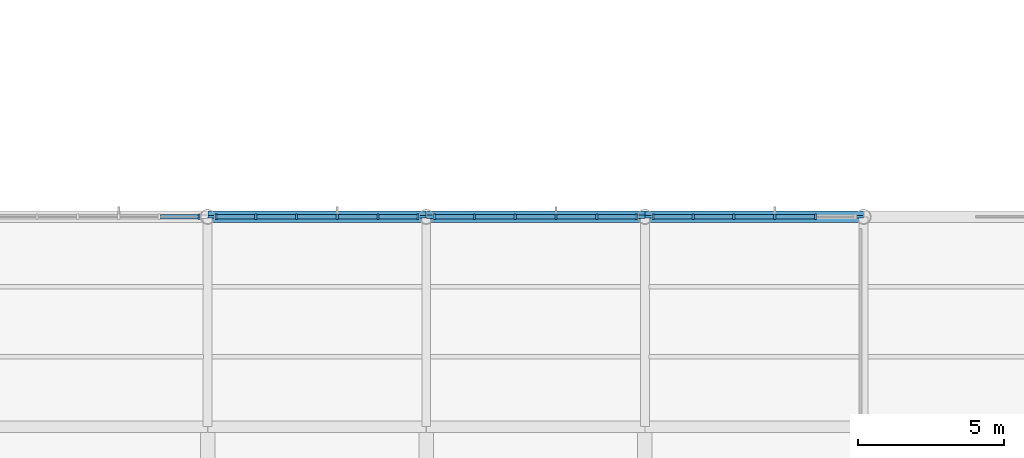
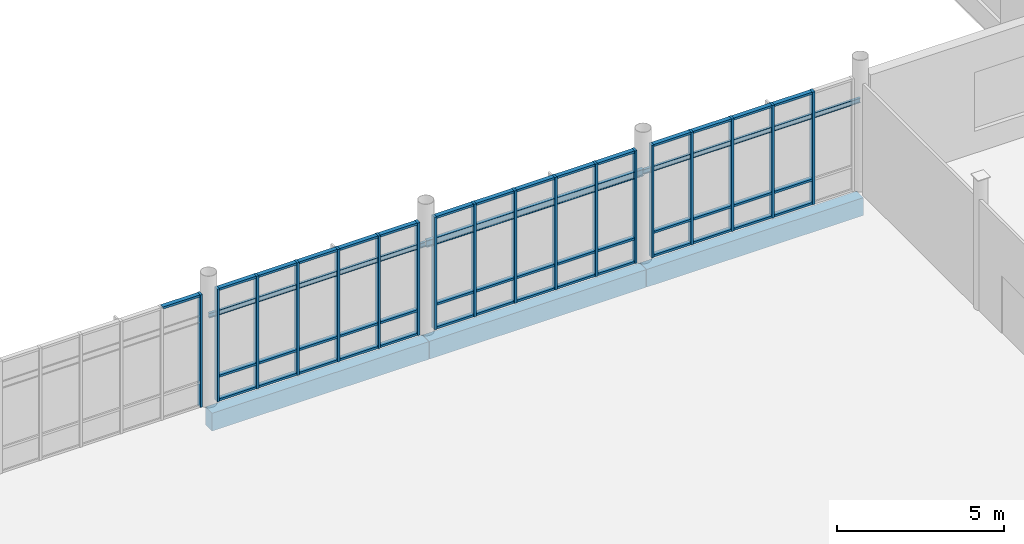
# One storey, part 21 of 82: 61 members, 6 beams, 4 elements without a shape of their own.
"""IFC4 building model written with IfcOpenShell, lengths in metres."""

from ifc_helpers import new_model, si_unit, direction, frame, origin, origin_2d, place, context, subcontext, project, spatial, rectangle, i_section, extrude, material, layer, layer_set, material_profile, profile_set, type_object, element, aggregate, save


model = new_model("IFC4")

# Units and contexts
model_context = context("Model", 3, precision=1e-05, world=origin(), true_north=direction((0.0, 1.0)))
body_context = subcontext(model_context, "Body", "Model", "MODEL_VIEW")
ifc_project = project(units=[si_unit("LENGTHUNIT", "METRE"), si_unit("AREAUNIT", "SQUARE_METRE"), si_unit("VOLUMEUNIT", "CUBIC_METRE"), si_unit("PLANEANGLEUNIT", "RADIAN"), si_unit("MASSUNIT", "GRAM", prefix="KILO")], contexts=[model_context])

# Site, building, storey
site_placement = place(None, origin())
site = spatial("IfcSite", under=ifc_project, at=site_placement, CompositionType="ELEMENT")
building_placement = place(site_placement, origin())
building = spatial("IfcBuilding", under=site, at=building_placement, Name="Yukiwa Park Conservatory and Herbarium", CompositionType="ELEMENT")
storey_placement = place(building_placement, origin())
storey = spatial("IfcBuildingStorey", under=building, at=storey_placement, Name="L00", CompositionType="ELEMENT", Elevation=0.0)

# Beams
ifc_material_1 = material(Name="Steel Q355D", Category="steel")
ifc_material_profile_1 = material_profile(ifc_material_1, i_section(OverallWidth=0.090087890625, OverallDepth=0.175048828125, WebThickness=0.0048828125, FlangeThickness=0.008056640625, FilletRadius=0.009033203125, at=origin_2d()), Name="HN 175x90x5x8")
ifc_profile_set_1 = profile_set([ifc_material_profile_1], Name="Steel Q355D")
beam_type_1 = type_object("IfcBeamType", Name="BM-LNT-HN175", PredefinedType="LINTEL", material=ifc_profile_set_1)
for number, where, z_axis, x_axis, name in (
    (1, (30.006103515625, 31.199951171875, 3.199951171875), (1.0, 0.0, 0.0), (0.0, 1.0, 0.0), "Conservatory north glazed portal steel lintel 4"),
    (2, (45.006103515625, 31.199951171875, 3.199951171875), (1.0, 0.0, 0.0), (0.0, 1.0, 0.0), "Conservatory north glazed portal steel lintel 6"),
):
    element("IfcBeam", number, at=place(storey_placement, frame(where, z_axis=z_axis, x_axis=x_axis)), inside=storey, type_object=beam_type_1, Name=name, PredefinedType="LINTEL", context=body_context, shape_type="SweptSolid", body=[
        extrude(i_section(OverallWidth=0.090087890625, OverallDepth=0.175048828125, WebThickness=0.0048828125, FlangeThickness=0.008056640625, FilletRadius=0.009033203125, at=origin_2d()), origin(), (0.0, 0.0, 1.0), 7.48779296875),
    ])
ifc_material_2 = material(Name="Steel Q355D", Category="steel")
ifc_material_profile_2 = material_profile(ifc_material_2, i_section(OverallWidth=0.125, OverallDepth=0.25, WebThickness=0.006103515625, FlangeThickness=0.009033203125, FilletRadius=0.011962890625, at=origin_2d()), Name="HN 250x125x6x9")
ifc_profile_set_2 = profile_set([ifc_material_profile_2], Name="Steel Q355D")
beam_type_2 = type_object("IfcBeamType", Name="BM-LNT-HN250", PredefinedType="LINTEL", material=ifc_profile_set_2)
beam_placement = place(storey_placement, frame((37.506103515625, 31.199951171875, 3.199951171875), z_axis=(1.0, 0.0, 0.0), x_axis=(0.0, 1.0, 0.0)))
element("IfcBeam", 3, at=beam_placement, inside=storey, type_object=beam_type_2, Name="Conservatory north glazed portal steel lintel 5", PredefinedType="LINTEL", context=body_context, shape_type="SweptSolid", body=[
    extrude(i_section(OverallWidth=0.125, OverallDepth=0.25, WebThickness=0.006103515625, FlangeThickness=0.009033203125, FilletRadius=0.011962890625, at=origin_2d()), origin(), (0.0, 0.0, 1.0), 7.48779296875),
])
ifc_material_3 = material(Name="Concrete C40", Category="concrete")
ifc_material_profile_3 = material_profile(ifc_material_3, rectangle(XDim=0.39990234375, YDim=0.64990234375, at=origin_2d()), Name="RC 400x650")
ifc_profile_set_3 = profile_set([ifc_material_profile_3], Name="Concrete C40")
beam_type_3 = type_object("IfcBeamType", Name="BM-RC-400X650", PredefinedType="BEAM", material=ifc_profile_set_3)
for number, where, z_axis, x_axis, name in (
    (4, (30.006103515625, 31.199951171875, -0.5849609375), (1.0, 0.0, 0.0), (0.0, 1.0, 0.0), "L00 grid beam X-49"),
    (5, (37.506103515625, 31.199951171875, -0.5849609375), (1.0, 0.0, 0.0), (0.0, 1.0, 0.0), "L00 grid beam X-50"),
    (6, (45.006103515625, 31.199951171875, -0.5849609375), (1.0, 0.0, 0.0), (0.0, 1.0, 0.0), "L00 grid beam X-51"),
):
    element("IfcBeam", number, at=place(storey_placement, frame(where, z_axis=z_axis, x_axis=x_axis)), inside=storey, type_object=beam_type_3, Name=name, PredefinedType="BEAM", context=body_context, shape_type="SweptSolid", body=[
        extrude(rectangle(XDim=0.39990234375, YDim=0.64990234375, at=origin_2d()), origin(), (0.0, 0.0, 1.0), 7.48779296875),
    ])

# Curtain wall, members
ifc_material_4 = material(Name="Triple Low-E Insulated Glass", Category="glass")
ifc_layer = layer(ifc_material_4, 0.152099609375)
ifc_layer_set = layer_set([ifc_layer], Name="Triple Low-E Insulated Glass")
curtain_wall_type = type_object("IfcCurtainWallType", Name="CW-CONSERVATORY-1500", PredefinedType="NOTDEFINED", material=ifc_layer_set)
curtain_wall_1_placement = place(storey_placement, origin())
curtain_wall_1 = element("IfcCurtainWall", 7, at=curtain_wall_1_placement, inside=storey, type_object=curtain_wall_type, Name="L00 unitised curtain wall CW-L00-018", PredefinedType="NOTDEFINED")
ifc_material_5 = material(Name="Anodised Aluminium", Category="aluminium")
member_type_1 = type_object("IfcMemberType", Name="MB-CW-MUL-80X180", PredefinedType="MULLION", material=ifc_material_5)
member_1_placement = place(storey_placement, frame((50.84765625, 31.199951171875, 0.0), z_axis=(0.0, 0.0, 1.0), x_axis=(-1.0, 0.0, 0.0)))
member_1 = element("IfcMember", 8, at=member_1_placement, type_object=member_type_1, Name="CW-L00-018 mullion 2", PredefinedType="MULLION", context=body_context, shape_type="SweptSolid", body=[
    extrude(rectangle(XDim=0.080078125, YDim=0.179931640625, at=origin_2d()), origin(), (0.0, 0.0, 1.0), 4.110107421875),
])
member_2_placement = place(storey_placement, frame((49.44921875, 31.199951171875, 0.0), z_axis=(0.0, 0.0, 1.0), x_axis=(-1.0, 0.0, 0.0)))
member_2 = element("IfcMember", 9, at=member_2_placement, type_object=member_type_1, Name="CW-L00-018 mullion 3", PredefinedType="MULLION", context=body_context, shape_type="SweptSolid", body=[
    extrude(rectangle(XDim=0.080078125, YDim=0.179931640625, at=origin_2d()), origin(), (0.0, 0.0, 1.0), 4.110107421875),
])
member_3_placement = place(storey_placement, frame((48.05078125, 31.199951171875, 0.0), z_axis=(0.0, 0.0, 1.0), x_axis=(-1.0, 0.0, 0.0)))
member_3 = element("IfcMember", 10, at=member_3_placement, type_object=member_type_1, Name="CW-L00-018 mullion 4", PredefinedType="MULLION", context=body_context, shape_type="SweptSolid", body=[
    extrude(rectangle(XDim=0.080078125, YDim=0.179931640625, at=origin_2d()), origin(), (0.0, 0.0, 1.0), 4.110107421875),
])
member_4_placement = place(storey_placement, frame((46.65234375, 31.199951171875, 0.0), z_axis=(0.0, 0.0, 1.0), x_axis=(-1.0, 0.0, 0.0)))
member_4 = element("IfcMember", 11, at=member_4_placement, type_object=member_type_1, Name="CW-L00-018 mullion 5", PredefinedType="MULLION", context=body_context, shape_type="SweptSolid", body=[
    extrude(rectangle(XDim=0.080078125, YDim=0.179931640625, at=origin_2d()), origin(), (0.0, 0.0, 1.0), 4.110107421875),
])
member_5_placement = place(storey_placement, frame((45.2939453125, 31.199951171875, 0.0), z_axis=(0.0, 0.0, 1.0), x_axis=(-1.0, 0.0, 0.0)))
member_5 = element("IfcMember", 12, at=member_5_placement, type_object=member_type_1, Name="CW-L00-018 mullion 6", PredefinedType="MULLION", context=body_context, shape_type="SweptSolid", body=[
    extrude(rectangle(XDim=0.080078125, YDim=0.179931640625, at=origin_2d()), origin(), (0.0, 0.0, 1.0), 4.110107421875),
])

curtain_wall_2_placement = place(storey_placement, origin())
curtain_wall_2 = element("IfcCurtainWall", 13, at=curtain_wall_2_placement, inside=storey, type_object=curtain_wall_type, Name="L00 unitised curtain wall CW-L00-019", PredefinedType="NOTDEFINED")
member_6_placement = place(storey_placement, frame((44.7060546875, 31.199951171875, 0.0), z_axis=(0.0, 0.0, 1.0), x_axis=(-1.0, 0.0, 0.0)))
member_6 = element("IfcMember", 14, at=member_6_placement, type_object=member_type_1, Name="CW-L00-019 mullion 1", PredefinedType="MULLION", context=body_context, shape_type="SweptSolid", body=[
    extrude(rectangle(XDim=0.080078125, YDim=0.179931640625, at=origin_2d()), origin(), (0.0, 0.0, 1.0), 4.110107421875),
])
member_7_placement = place(storey_placement, frame((43.34765625, 31.199951171875, 0.0), z_axis=(0.0, 0.0, 1.0), x_axis=(-1.0, 0.0, 0.0)))
member_7 = element("IfcMember", 15, at=member_7_placement, type_object=member_type_1, Name="CW-L00-019 mullion 2", PredefinedType="MULLION", context=body_context, shape_type="SweptSolid", body=[
    extrude(rectangle(XDim=0.080078125, YDim=0.179931640625, at=origin_2d()), origin(), (0.0, 0.0, 1.0), 4.110107421875),
])
member_8_placement = place(storey_placement, frame((41.94921875, 31.199951171875, 0.0), z_axis=(0.0, 0.0, 1.0), x_axis=(-1.0, 0.0, 0.0)))
member_8 = element("IfcMember", 16, at=member_8_placement, type_object=member_type_1, Name="CW-L00-019 mullion 3", PredefinedType="MULLION", context=body_context, shape_type="SweptSolid", body=[
    extrude(rectangle(XDim=0.080078125, YDim=0.179931640625, at=origin_2d()), origin(), (0.0, 0.0, 1.0), 4.110107421875),
])
member_9_placement = place(storey_placement, frame((40.55078125, 31.199951171875, 0.0), z_axis=(0.0, 0.0, 1.0), x_axis=(-1.0, 0.0, 0.0)))
member_9 = element("IfcMember", 17, at=member_9_placement, type_object=member_type_1, Name="CW-L00-019 mullion 4", PredefinedType="MULLION", context=body_context, shape_type="SweptSolid", body=[
    extrude(rectangle(XDim=0.080078125, YDim=0.179931640625, at=origin_2d()), origin(), (0.0, 0.0, 1.0), 4.110107421875),
])
member_10_placement = place(storey_placement, frame((39.15234375, 31.199951171875, 0.0), z_axis=(0.0, 0.0, 1.0), x_axis=(-1.0, 0.0, 0.0)))
member_10 = element("IfcMember", 18, at=member_10_placement, type_object=member_type_1, Name="CW-L00-019 mullion 5", PredefinedType="MULLION", context=body_context, shape_type="SweptSolid", body=[
    extrude(rectangle(XDim=0.080078125, YDim=0.179931640625, at=origin_2d()), origin(), (0.0, 0.0, 1.0), 4.110107421875),
])
member_11_placement = place(storey_placement, frame((37.7939453125, 31.199951171875, 0.0), z_axis=(0.0, 0.0, 1.0), x_axis=(-1.0, 0.0, 0.0)))
member_11 = element("IfcMember", 19, at=member_11_placement, type_object=member_type_1, Name="CW-L00-019 mullion 6", PredefinedType="MULLION", context=body_context, shape_type="SweptSolid", body=[
    extrude(rectangle(XDim=0.080078125, YDim=0.179931640625, at=origin_2d()), origin(), (0.0, 0.0, 1.0), 4.110107421875),
])

curtain_wall_3_placement = place(storey_placement, origin())
curtain_wall_3 = element("IfcCurtainWall", 20, at=curtain_wall_3_placement, inside=storey, type_object=curtain_wall_type, Name="L00 unitised curtain wall CW-L00-020", PredefinedType="NOTDEFINED")
member_12_placement = place(storey_placement, frame((37.2060546875, 31.199951171875, 0.0), z_axis=(0.0, 0.0, 1.0), x_axis=(-1.0, 0.0, 0.0)))
member_12 = element("IfcMember", 21, at=member_12_placement, type_object=member_type_1, Name="CW-L00-020 mullion 1", PredefinedType="MULLION", context=body_context, shape_type="SweptSolid", body=[
    extrude(rectangle(XDim=0.080078125, YDim=0.179931640625, at=origin_2d()), origin(), (0.0, 0.0, 1.0), 4.110107421875),
])
member_13_placement = place(storey_placement, frame((35.84765625, 31.199951171875, 0.0), z_axis=(0.0, 0.0, 1.0), x_axis=(-1.0, 0.0, 0.0)))
member_13 = element("IfcMember", 22, at=member_13_placement, type_object=member_type_1, Name="CW-L00-020 mullion 2", PredefinedType="MULLION", context=body_context, shape_type="SweptSolid", body=[
    extrude(rectangle(XDim=0.080078125, YDim=0.179931640625, at=origin_2d()), origin(), (0.0, 0.0, 1.0), 4.110107421875),
])
member_14_placement = place(storey_placement, frame((34.44921875, 31.199951171875, 0.0), z_axis=(0.0, 0.0, 1.0), x_axis=(-1.0, 0.0, 0.0)))
member_14 = element("IfcMember", 23, at=member_14_placement, type_object=member_type_1, Name="CW-L00-020 mullion 3", PredefinedType="MULLION", context=body_context, shape_type="SweptSolid", body=[
    extrude(rectangle(XDim=0.080078125, YDim=0.179931640625, at=origin_2d()), origin(), (0.0, 0.0, 1.0), 4.110107421875),
])
member_15_placement = place(storey_placement, frame((33.05078125, 31.199951171875, 0.0), z_axis=(0.0, 0.0, 1.0), x_axis=(-1.0, 0.0, 0.0)))
member_15 = element("IfcMember", 24, at=member_15_placement, type_object=member_type_1, Name="CW-L00-020 mullion 4", PredefinedType="MULLION", context=body_context, shape_type="SweptSolid", body=[
    extrude(rectangle(XDim=0.080078125, YDim=0.179931640625, at=origin_2d()), origin(), (0.0, 0.0, 1.0), 4.110107421875),
])
member_16_placement = place(storey_placement, frame((31.65234375, 31.199951171875, 0.0), z_axis=(0.0, 0.0, 1.0), x_axis=(-1.0, 0.0, 0.0)))
member_16 = element("IfcMember", 25, at=member_16_placement, type_object=member_type_1, Name="CW-L00-020 mullion 5", PredefinedType="MULLION", context=body_context, shape_type="SweptSolid", body=[
    extrude(rectangle(XDim=0.080078125, YDim=0.179931640625, at=origin_2d()), origin(), (0.0, 0.0, 1.0), 4.110107421875),
])
member_17_placement = place(storey_placement, frame((30.2939453125, 31.199951171875, 0.0), z_axis=(0.0, 0.0, 1.0), x_axis=(-1.0, 0.0, 0.0)))
member_17 = element("IfcMember", 26, at=member_17_placement, type_object=member_type_1, Name="CW-L00-020 mullion 6", PredefinedType="MULLION", context=body_context, shape_type="SweptSolid", body=[
    extrude(rectangle(XDim=0.080078125, YDim=0.179931640625, at=origin_2d()), origin(), (0.0, 0.0, 1.0), 4.110107421875),
])

# Curtain wall, member
curtain_wall_4_placement = place(storey_placement, origin())
curtain_wall_4 = element("IfcCurtainWall", 27, at=curtain_wall_4_placement, inside=storey, type_object=curtain_wall_type, Name="L00 unitised curtain wall CW-L00-021", PredefinedType="NOTDEFINED")
member_18_placement = place(storey_placement, frame((29.7060546875, 31.199951171875, 0.0), z_axis=(0.0, 0.0, 1.0), x_axis=(-1.0, 0.0, 0.0)))
member_18 = element("IfcMember", 28, at=member_18_placement, type_object=member_type_1, Name="CW-L00-021 mullion 1", PredefinedType="MULLION", context=body_context, shape_type="SweptSolid", body=[
    extrude(rectangle(XDim=0.080078125, YDim=0.179931640625, at=origin_2d()), origin(), (0.0, 0.0, 1.0), 4.110107421875),
])

# Member
ifc_material_6 = material(Name="Anodised Aluminium", Category="aluminium")
member_type_2 = type_object("IfcMemberType", Name="MB-CW-TRN-80X150", PredefinedType="USERDEFINED", material=ifc_material_6)
member_19_placement = place(storey_placement, frame((50.1484375, 31.199951171875, 0.0), z_axis=(0.0, 0.0, 1.0), x_axis=(-1.0, 0.0, 0.0)))
member_19 = element("IfcMember", 29, at=member_19_placement, type_object=member_type_2, Name="CW-L00-018 transom 2.1", ObjectType="TRANSOM", PredefinedType="USERDEFINED", context=body_context, shape_type="SweptSolid", body=[
    extrude(rectangle(XDim=1.318359375, YDim=0.14990234375, at=origin_2d()), origin(), (0.0, 0.0, 1.0), 0.080078125),
])

member_20_placement = place(storey_placement, frame((50.1484375, 31.199951171875, 0.85986328125), z_axis=(0.0, 0.0, 1.0), x_axis=(-1.0, 0.0, 0.0)))
member_20 = element("IfcMember", 30, at=member_20_placement, type_object=member_type_2, Name="CW-L00-018 transom 2.2", ObjectType="TRANSOM", PredefinedType="USERDEFINED", context=body_context, shape_type="SweptSolid", body=[
    extrude(rectangle(XDim=1.318359375, YDim=0.14990234375, at=origin_2d()), origin(), (0.0, 0.0, 1.0), 0.080078125),
])

member_21_placement = place(storey_placement, frame((50.1484375, 31.199951171875, 4.030029296875), z_axis=(0.0, 0.0, 1.0), x_axis=(-1.0, 0.0, 0.0)))
member_21 = element("IfcMember", 31, at=member_21_placement, type_object=member_type_2, Name="CW-L00-018 transom 2.3", ObjectType="TRANSOM", PredefinedType="USERDEFINED", context=body_context, shape_type="SweptSolid", body=[
    extrude(rectangle(XDim=1.318359375, YDim=0.14990234375, at=origin_2d()), origin(), (0.0, 0.0, 1.0), 0.080078125),
])

member_22_placement = place(storey_placement, frame((48.75, 31.199951171875, 0.0), z_axis=(0.0, 0.0, 1.0), x_axis=(-1.0, 0.0, 0.0)))
member_22 = element("IfcMember", 32, at=member_22_placement, type_object=member_type_2, Name="CW-L00-018 transom 3.1", ObjectType="TRANSOM", PredefinedType="USERDEFINED", context=body_context, shape_type="SweptSolid", body=[
    extrude(rectangle(XDim=1.318359375, YDim=0.14990234375, at=origin_2d()), origin(), (0.0, 0.0, 1.0), 0.080078125),
])

member_23_placement = place(storey_placement, frame((48.75, 31.199951171875, 0.85986328125), z_axis=(0.0, 0.0, 1.0), x_axis=(-1.0, 0.0, 0.0)))
member_23 = element("IfcMember", 33, at=member_23_placement, type_object=member_type_2, Name="CW-L00-018 transom 3.2", ObjectType="TRANSOM", PredefinedType="USERDEFINED", context=body_context, shape_type="SweptSolid", body=[
    extrude(rectangle(XDim=1.318359375, YDim=0.14990234375, at=origin_2d()), origin(), (0.0, 0.0, 1.0), 0.080078125),
])

member_24_placement = place(storey_placement, frame((48.75, 31.199951171875, 4.030029296875), z_axis=(0.0, 0.0, 1.0), x_axis=(-1.0, 0.0, 0.0)))
member_24 = element("IfcMember", 34, at=member_24_placement, type_object=member_type_2, Name="CW-L00-018 transom 3.3", ObjectType="TRANSOM", PredefinedType="USERDEFINED", context=body_context, shape_type="SweptSolid", body=[
    extrude(rectangle(XDim=1.318359375, YDim=0.14990234375, at=origin_2d()), origin(), (0.0, 0.0, 1.0), 0.080078125),
])

member_25_placement = place(storey_placement, frame((47.3515625, 31.199951171875, 0.0), z_axis=(0.0, 0.0, 1.0), x_axis=(-1.0, 0.0, 0.0)))
member_25 = element("IfcMember", 35, at=member_25_placement, type_object=member_type_2, Name="CW-L00-018 transom 4.1", ObjectType="TRANSOM", PredefinedType="USERDEFINED", context=body_context, shape_type="SweptSolid", body=[
    extrude(rectangle(XDim=1.318359375, YDim=0.14990234375, at=origin_2d()), origin(), (0.0, 0.0, 1.0), 0.080078125),
])

member_26_placement = place(storey_placement, frame((47.3515625, 31.199951171875, 0.85986328125), z_axis=(0.0, 0.0, 1.0), x_axis=(-1.0, 0.0, 0.0)))
member_26 = element("IfcMember", 36, at=member_26_placement, type_object=member_type_2, Name="CW-L00-018 transom 4.2", ObjectType="TRANSOM", PredefinedType="USERDEFINED", context=body_context, shape_type="SweptSolid", body=[
    extrude(rectangle(XDim=1.318359375, YDim=0.14990234375, at=origin_2d()), origin(), (0.0, 0.0, 1.0), 0.080078125),
])

member_27_placement = place(storey_placement, frame((47.3515625, 31.199951171875, 4.030029296875), z_axis=(0.0, 0.0, 1.0), x_axis=(-1.0, 0.0, 0.0)))
member_27 = element("IfcMember", 37, at=member_27_placement, type_object=member_type_2, Name="CW-L00-018 transom 4.3", ObjectType="TRANSOM", PredefinedType="USERDEFINED", context=body_context, shape_type="SweptSolid", body=[
    extrude(rectangle(XDim=1.318359375, YDim=0.14990234375, at=origin_2d()), origin(), (0.0, 0.0, 1.0), 0.080078125),
])

member_28_placement = place(storey_placement, frame((45.953125, 31.199951171875, 0.0), z_axis=(0.0, 0.0, 1.0), x_axis=(-1.0, 0.0, 0.0)))
member_28 = element("IfcMember", 38, at=member_28_placement, type_object=member_type_2, Name="CW-L00-018 transom 5.1", ObjectType="TRANSOM", PredefinedType="USERDEFINED", context=body_context, shape_type="SweptSolid", body=[
    extrude(rectangle(XDim=1.318359375, YDim=0.14990234375, at=origin_2d()), origin(), (0.0, 0.0, 1.0), 0.080078125),
])

member_29_placement = place(storey_placement, frame((45.953125, 31.199951171875, 0.85986328125), z_axis=(0.0, 0.0, 1.0), x_axis=(-1.0, 0.0, 0.0)))
member_29 = element("IfcMember", 39, at=member_29_placement, type_object=member_type_2, Name="CW-L00-018 transom 5.2", ObjectType="TRANSOM", PredefinedType="USERDEFINED", context=body_context, shape_type="SweptSolid", body=[
    extrude(rectangle(XDim=1.318359375, YDim=0.14990234375, at=origin_2d()), origin(), (0.0, 0.0, 1.0), 0.080078125),
])

member_30_placement = place(storey_placement, frame((45.953125, 31.199951171875, 4.030029296875), z_axis=(0.0, 0.0, 1.0), x_axis=(-1.0, 0.0, 0.0)))
member_30 = element("IfcMember", 40, at=member_30_placement, type_object=member_type_2, Name="CW-L00-018 transom 5.3", ObjectType="TRANSOM", PredefinedType="USERDEFINED", context=body_context, shape_type="SweptSolid", body=[
    extrude(rectangle(XDim=1.318359375, YDim=0.14990234375, at=origin_2d()), origin(), (0.0, 0.0, 1.0), 0.080078125),
])

aggregate(curtain_wall_1, [member_1, member_2, member_3, member_4, member_5, member_19, member_20, member_21, member_22, member_23, member_24, member_25, member_26, member_27, member_28, member_29, member_30])

member_31_placement = place(storey_placement, frame((44.046875, 31.199951171875, 0.0), z_axis=(0.0, 0.0, 1.0), x_axis=(-1.0, 0.0, 0.0)))
member_31 = element("IfcMember", 41, at=member_31_placement, type_object=member_type_2, Name="CW-L00-019 transom 1.1", ObjectType="TRANSOM", PredefinedType="USERDEFINED", context=body_context, shape_type="SweptSolid", body=[
    extrude(rectangle(XDim=1.318359375, YDim=0.14990234375, at=origin_2d()), origin(), (0.0, 0.0, 1.0), 0.080078125),
])

member_32_placement = place(storey_placement, frame((44.046875, 31.199951171875, 0.85986328125), z_axis=(0.0, 0.0, 1.0), x_axis=(-1.0, 0.0, 0.0)))
member_32 = element("IfcMember", 42, at=member_32_placement, type_object=member_type_2, Name="CW-L00-019 transom 1.2", ObjectType="TRANSOM", PredefinedType="USERDEFINED", context=body_context, shape_type="SweptSolid", body=[
    extrude(rectangle(XDim=1.318359375, YDim=0.14990234375, at=origin_2d()), origin(), (0.0, 0.0, 1.0), 0.080078125),
])

member_33_placement = place(storey_placement, frame((44.046875, 31.199951171875, 4.030029296875), z_axis=(0.0, 0.0, 1.0), x_axis=(-1.0, 0.0, 0.0)))
member_33 = element("IfcMember", 43, at=member_33_placement, type_object=member_type_2, Name="CW-L00-019 transom 1.3", ObjectType="TRANSOM", PredefinedType="USERDEFINED", context=body_context, shape_type="SweptSolid", body=[
    extrude(rectangle(XDim=1.318359375, YDim=0.14990234375, at=origin_2d()), origin(), (0.0, 0.0, 1.0), 0.080078125),
])

member_34_placement = place(storey_placement, frame((42.6484375, 31.199951171875, 0.0), z_axis=(0.0, 0.0, 1.0), x_axis=(-1.0, 0.0, 0.0)))
member_34 = element("IfcMember", 44, at=member_34_placement, type_object=member_type_2, Name="CW-L00-019 transom 2.1", ObjectType="TRANSOM", PredefinedType="USERDEFINED", context=body_context, shape_type="SweptSolid", body=[
    extrude(rectangle(XDim=1.318359375, YDim=0.14990234375, at=origin_2d()), origin(), (0.0, 0.0, 1.0), 0.080078125),
])

member_35_placement = place(storey_placement, frame((42.6484375, 31.199951171875, 0.85986328125), z_axis=(0.0, 0.0, 1.0), x_axis=(-1.0, 0.0, 0.0)))
member_35 = element("IfcMember", 45, at=member_35_placement, type_object=member_type_2, Name="CW-L00-019 transom 2.2", ObjectType="TRANSOM", PredefinedType="USERDEFINED", context=body_context, shape_type="SweptSolid", body=[
    extrude(rectangle(XDim=1.318359375, YDim=0.14990234375, at=origin_2d()), origin(), (0.0, 0.0, 1.0), 0.080078125),
])

member_36_placement = place(storey_placement, frame((42.6484375, 31.199951171875, 4.030029296875), z_axis=(0.0, 0.0, 1.0), x_axis=(-1.0, 0.0, 0.0)))
member_36 = element("IfcMember", 46, at=member_36_placement, type_object=member_type_2, Name="CW-L00-019 transom 2.3", ObjectType="TRANSOM", PredefinedType="USERDEFINED", context=body_context, shape_type="SweptSolid", body=[
    extrude(rectangle(XDim=1.318359375, YDim=0.14990234375, at=origin_2d()), origin(), (0.0, 0.0, 1.0), 0.080078125),
])

member_37_placement = place(storey_placement, frame((41.25, 31.199951171875, 0.0), z_axis=(0.0, 0.0, 1.0), x_axis=(-1.0, 0.0, 0.0)))
member_37 = element("IfcMember", 47, at=member_37_placement, type_object=member_type_2, Name="CW-L00-019 transom 3.1", ObjectType="TRANSOM", PredefinedType="USERDEFINED", context=body_context, shape_type="SweptSolid", body=[
    extrude(rectangle(XDim=1.318359375, YDim=0.14990234375, at=origin_2d()), origin(), (0.0, 0.0, 1.0), 0.080078125),
])

member_38_placement = place(storey_placement, frame((41.25, 31.199951171875, 0.85986328125), z_axis=(0.0, 0.0, 1.0), x_axis=(-1.0, 0.0, 0.0)))
member_38 = element("IfcMember", 48, at=member_38_placement, type_object=member_type_2, Name="CW-L00-019 transom 3.2", ObjectType="TRANSOM", PredefinedType="USERDEFINED", context=body_context, shape_type="SweptSolid", body=[
    extrude(rectangle(XDim=1.318359375, YDim=0.14990234375, at=origin_2d()), origin(), (0.0, 0.0, 1.0), 0.080078125),
])

member_39_placement = place(storey_placement, frame((41.25, 31.199951171875, 4.030029296875), z_axis=(0.0, 0.0, 1.0), x_axis=(-1.0, 0.0, 0.0)))
member_39 = element("IfcMember", 49, at=member_39_placement, type_object=member_type_2, Name="CW-L00-019 transom 3.3", ObjectType="TRANSOM", PredefinedType="USERDEFINED", context=body_context, shape_type="SweptSolid", body=[
    extrude(rectangle(XDim=1.318359375, YDim=0.14990234375, at=origin_2d()), origin(), (0.0, 0.0, 1.0), 0.080078125),
])

member_40_placement = place(storey_placement, frame((39.8515625, 31.199951171875, 0.0), z_axis=(0.0, 0.0, 1.0), x_axis=(-1.0, 0.0, 0.0)))
member_40 = element("IfcMember", 50, at=member_40_placement, type_object=member_type_2, Name="CW-L00-019 transom 4.1", ObjectType="TRANSOM", PredefinedType="USERDEFINED", context=body_context, shape_type="SweptSolid", body=[
    extrude(rectangle(XDim=1.318359375, YDim=0.14990234375, at=origin_2d()), origin(), (0.0, 0.0, 1.0), 0.080078125),
])

member_41_placement = place(storey_placement, frame((39.8515625, 31.199951171875, 0.85986328125), z_axis=(0.0, 0.0, 1.0), x_axis=(-1.0, 0.0, 0.0)))
member_41 = element("IfcMember", 51, at=member_41_placement, type_object=member_type_2, Name="CW-L00-019 transom 4.2", ObjectType="TRANSOM", PredefinedType="USERDEFINED", context=body_context, shape_type="SweptSolid", body=[
    extrude(rectangle(XDim=1.318359375, YDim=0.14990234375, at=origin_2d()), origin(), (0.0, 0.0, 1.0), 0.080078125),
])

member_42_placement = place(storey_placement, frame((39.8515625, 31.199951171875, 4.030029296875), z_axis=(0.0, 0.0, 1.0), x_axis=(-1.0, 0.0, 0.0)))
member_42 = element("IfcMember", 52, at=member_42_placement, type_object=member_type_2, Name="CW-L00-019 transom 4.3", ObjectType="TRANSOM", PredefinedType="USERDEFINED", context=body_context, shape_type="SweptSolid", body=[
    extrude(rectangle(XDim=1.318359375, YDim=0.14990234375, at=origin_2d()), origin(), (0.0, 0.0, 1.0), 0.080078125),
])

member_43_placement = place(storey_placement, frame((38.453125, 31.199951171875, 0.0), z_axis=(0.0, 0.0, 1.0), x_axis=(-1.0, 0.0, 0.0)))
member_43 = element("IfcMember", 53, at=member_43_placement, type_object=member_type_2, Name="CW-L00-019 transom 5.1", ObjectType="TRANSOM", PredefinedType="USERDEFINED", context=body_context, shape_type="SweptSolid", body=[
    extrude(rectangle(XDim=1.318359375, YDim=0.14990234375, at=origin_2d()), origin(), (0.0, 0.0, 1.0), 0.080078125),
])

member_44_placement = place(storey_placement, frame((38.453125, 31.199951171875, 0.85986328125), z_axis=(0.0, 0.0, 1.0), x_axis=(-1.0, 0.0, 0.0)))
member_44 = element("IfcMember", 54, at=member_44_placement, type_object=member_type_2, Name="CW-L00-019 transom 5.2", ObjectType="TRANSOM", PredefinedType="USERDEFINED", context=body_context, shape_type="SweptSolid", body=[
    extrude(rectangle(XDim=1.318359375, YDim=0.14990234375, at=origin_2d()), origin(), (0.0, 0.0, 1.0), 0.080078125),
])

member_45_placement = place(storey_placement, frame((38.453125, 31.199951171875, 4.030029296875), z_axis=(0.0, 0.0, 1.0), x_axis=(-1.0, 0.0, 0.0)))
member_45 = element("IfcMember", 55, at=member_45_placement, type_object=member_type_2, Name="CW-L00-019 transom 5.3", ObjectType="TRANSOM", PredefinedType="USERDEFINED", context=body_context, shape_type="SweptSolid", body=[
    extrude(rectangle(XDim=1.318359375, YDim=0.14990234375, at=origin_2d()), origin(), (0.0, 0.0, 1.0), 0.080078125),
])

aggregate(curtain_wall_2, [member_6, member_7, member_8, member_9, member_10, member_11, member_31, member_32, member_33, member_34, member_35, member_36, member_37, member_38, member_39, member_40, member_41, member_42, member_43, member_44, member_45])

member_46_placement = place(storey_placement, frame((36.546875, 31.199951171875, 0.0), z_axis=(0.0, 0.0, 1.0), x_axis=(-1.0, 0.0, 0.0)))
member_46 = element("IfcMember", 56, at=member_46_placement, type_object=member_type_2, Name="CW-L00-020 transom 1.1", ObjectType="TRANSOM", PredefinedType="USERDEFINED", context=body_context, shape_type="SweptSolid", body=[
    extrude(rectangle(XDim=1.318359375, YDim=0.14990234375, at=origin_2d()), origin(), (0.0, 0.0, 1.0), 0.080078125),
])

member_47_placement = place(storey_placement, frame((36.546875, 31.199951171875, 0.85986328125), z_axis=(0.0, 0.0, 1.0), x_axis=(-1.0, 0.0, 0.0)))
member_47 = element("IfcMember", 57, at=member_47_placement, type_object=member_type_2, Name="CW-L00-020 transom 1.2", ObjectType="TRANSOM", PredefinedType="USERDEFINED", context=body_context, shape_type="SweptSolid", body=[
    extrude(rectangle(XDim=1.318359375, YDim=0.14990234375, at=origin_2d()), origin(), (0.0, 0.0, 1.0), 0.080078125),
])

member_48_placement = place(storey_placement, frame((36.546875, 31.199951171875, 4.030029296875), z_axis=(0.0, 0.0, 1.0), x_axis=(-1.0, 0.0, 0.0)))
member_48 = element("IfcMember", 58, at=member_48_placement, type_object=member_type_2, Name="CW-L00-020 transom 1.3", ObjectType="TRANSOM", PredefinedType="USERDEFINED", context=body_context, shape_type="SweptSolid", body=[
    extrude(rectangle(XDim=1.318359375, YDim=0.14990234375, at=origin_2d()), origin(), (0.0, 0.0, 1.0), 0.080078125),
])

member_49_placement = place(storey_placement, frame((35.1484375, 31.199951171875, 0.0), z_axis=(0.0, 0.0, 1.0), x_axis=(-1.0, 0.0, 0.0)))
member_49 = element("IfcMember", 59, at=member_49_placement, type_object=member_type_2, Name="CW-L00-020 transom 2.1", ObjectType="TRANSOM", PredefinedType="USERDEFINED", context=body_context, shape_type="SweptSolid", body=[
    extrude(rectangle(XDim=1.318359375, YDim=0.14990234375, at=origin_2d()), origin(), (0.0, 0.0, 1.0), 0.080078125),
])

member_50_placement = place(storey_placement, frame((35.1484375, 31.199951171875, 0.85986328125), z_axis=(0.0, 0.0, 1.0), x_axis=(-1.0, 0.0, 0.0)))
member_50 = element("IfcMember", 60, at=member_50_placement, type_object=member_type_2, Name="CW-L00-020 transom 2.2", ObjectType="TRANSOM", PredefinedType="USERDEFINED", context=body_context, shape_type="SweptSolid", body=[
    extrude(rectangle(XDim=1.318359375, YDim=0.14990234375, at=origin_2d()), origin(), (0.0, 0.0, 1.0), 0.080078125),
])

member_51_placement = place(storey_placement, frame((35.1484375, 31.199951171875, 4.030029296875), z_axis=(0.0, 0.0, 1.0), x_axis=(-1.0, 0.0, 0.0)))
member_51 = element("IfcMember", 61, at=member_51_placement, type_object=member_type_2, Name="CW-L00-020 transom 2.3", ObjectType="TRANSOM", PredefinedType="USERDEFINED", context=body_context, shape_type="SweptSolid", body=[
    extrude(rectangle(XDim=1.318359375, YDim=0.14990234375, at=origin_2d()), origin(), (0.0, 0.0, 1.0), 0.080078125),
])

member_52_placement = place(storey_placement, frame((33.75, 31.199951171875, 0.0), z_axis=(0.0, 0.0, 1.0), x_axis=(-1.0, 0.0, 0.0)))
member_52 = element("IfcMember", 62, at=member_52_placement, type_object=member_type_2, Name="CW-L00-020 transom 3.1", ObjectType="TRANSOM", PredefinedType="USERDEFINED", context=body_context, shape_type="SweptSolid", body=[
    extrude(rectangle(XDim=1.318359375, YDim=0.14990234375, at=origin_2d()), origin(), (0.0, 0.0, 1.0), 0.080078125),
])

member_53_placement = place(storey_placement, frame((33.75, 31.199951171875, 0.85986328125), z_axis=(0.0, 0.0, 1.0), x_axis=(-1.0, 0.0, 0.0)))
member_53 = element("IfcMember", 63, at=member_53_placement, type_object=member_type_2, Name="CW-L00-020 transom 3.2", ObjectType="TRANSOM", PredefinedType="USERDEFINED", context=body_context, shape_type="SweptSolid", body=[
    extrude(rectangle(XDim=1.318359375, YDim=0.14990234375, at=origin_2d()), origin(), (0.0, 0.0, 1.0), 0.080078125),
])

member_54_placement = place(storey_placement, frame((33.75, 31.199951171875, 4.030029296875), z_axis=(0.0, 0.0, 1.0), x_axis=(-1.0, 0.0, 0.0)))
member_54 = element("IfcMember", 64, at=member_54_placement, type_object=member_type_2, Name="CW-L00-020 transom 3.3", ObjectType="TRANSOM", PredefinedType="USERDEFINED", context=body_context, shape_type="SweptSolid", body=[
    extrude(rectangle(XDim=1.318359375, YDim=0.14990234375, at=origin_2d()), origin(), (0.0, 0.0, 1.0), 0.080078125),
])

member_55_placement = place(storey_placement, frame((32.3515625, 31.199951171875, 0.0), z_axis=(0.0, 0.0, 1.0), x_axis=(-1.0, 0.0, 0.0)))
member_55 = element("IfcMember", 65, at=member_55_placement, type_object=member_type_2, Name="CW-L00-020 transom 4.1", ObjectType="TRANSOM", PredefinedType="USERDEFINED", context=body_context, shape_type="SweptSolid", body=[
    extrude(rectangle(XDim=1.318359375, YDim=0.14990234375, at=origin_2d()), origin(), (0.0, 0.0, 1.0), 0.080078125),
])

member_56_placement = place(storey_placement, frame((32.3515625, 31.199951171875, 0.85986328125), z_axis=(0.0, 0.0, 1.0), x_axis=(-1.0, 0.0, 0.0)))
member_56 = element("IfcMember", 66, at=member_56_placement, type_object=member_type_2, Name="CW-L00-020 transom 4.2", ObjectType="TRANSOM", PredefinedType="USERDEFINED", context=body_context, shape_type="SweptSolid", body=[
    extrude(rectangle(XDim=1.318359375, YDim=0.14990234375, at=origin_2d()), origin(), (0.0, 0.0, 1.0), 0.080078125),
])

member_57_placement = place(storey_placement, frame((32.3515625, 31.199951171875, 4.030029296875), z_axis=(0.0, 0.0, 1.0), x_axis=(-1.0, 0.0, 0.0)))
member_57 = element("IfcMember", 67, at=member_57_placement, type_object=member_type_2, Name="CW-L00-020 transom 4.3", ObjectType="TRANSOM", PredefinedType="USERDEFINED", context=body_context, shape_type="SweptSolid", body=[
    extrude(rectangle(XDim=1.318359375, YDim=0.14990234375, at=origin_2d()), origin(), (0.0, 0.0, 1.0), 0.080078125),
])

member_58_placement = place(storey_placement, frame((30.953125, 31.199951171875, 0.0), z_axis=(0.0, 0.0, 1.0), x_axis=(-1.0, 0.0, 0.0)))
member_58 = element("IfcMember", 68, at=member_58_placement, type_object=member_type_2, Name="CW-L00-020 transom 5.1", ObjectType="TRANSOM", PredefinedType="USERDEFINED", context=body_context, shape_type="SweptSolid", body=[
    extrude(rectangle(XDim=1.318359375, YDim=0.14990234375, at=origin_2d()), origin(), (0.0, 0.0, 1.0), 0.080078125),
])

member_59_placement = place(storey_placement, frame((30.953125, 31.199951171875, 0.85986328125), z_axis=(0.0, 0.0, 1.0), x_axis=(-1.0, 0.0, 0.0)))
member_59 = element("IfcMember", 69, at=member_59_placement, type_object=member_type_2, Name="CW-L00-020 transom 5.2", ObjectType="TRANSOM", PredefinedType="USERDEFINED", context=body_context, shape_type="SweptSolid", body=[
    extrude(rectangle(XDim=1.318359375, YDim=0.14990234375, at=origin_2d()), origin(), (0.0, 0.0, 1.0), 0.080078125),
])

member_60_placement = place(storey_placement, frame((30.953125, 31.199951171875, 4.030029296875), z_axis=(0.0, 0.0, 1.0), x_axis=(-1.0, 0.0, 0.0)))
member_60 = element("IfcMember", 70, at=member_60_placement, type_object=member_type_2, Name="CW-L00-020 transom 5.3", ObjectType="TRANSOM", PredefinedType="USERDEFINED", context=body_context, shape_type="SweptSolid", body=[
    extrude(rectangle(XDim=1.318359375, YDim=0.14990234375, at=origin_2d()), origin(), (0.0, 0.0, 1.0), 0.080078125),
])

aggregate(curtain_wall_3, [member_12, member_13, member_14, member_15, member_16, member_17, member_46, member_47, member_48, member_49, member_50, member_51, member_52, member_53, member_54, member_55, member_56, member_57, member_58, member_59, member_60])

member_61_placement = place(storey_placement, frame((29.046875, 31.199951171875, 4.030029296875), z_axis=(0.0, 0.0, 1.0), x_axis=(-1.0, 0.0, 0.0)))
member_61 = element("IfcMember", 71, at=member_61_placement, type_object=member_type_2, Name="CW-L00-021 transom 1.3", ObjectType="TRANSOM", PredefinedType="USERDEFINED", context=body_context, shape_type="SweptSolid", body=[
    extrude(rectangle(XDim=1.318359375, YDim=0.14990234375, at=origin_2d()), origin(), (0.0, 0.0, 1.0), 0.080078125),
])

aggregate(curtain_wall_4, [member_18, member_61])

save(model, "model.ifc")
